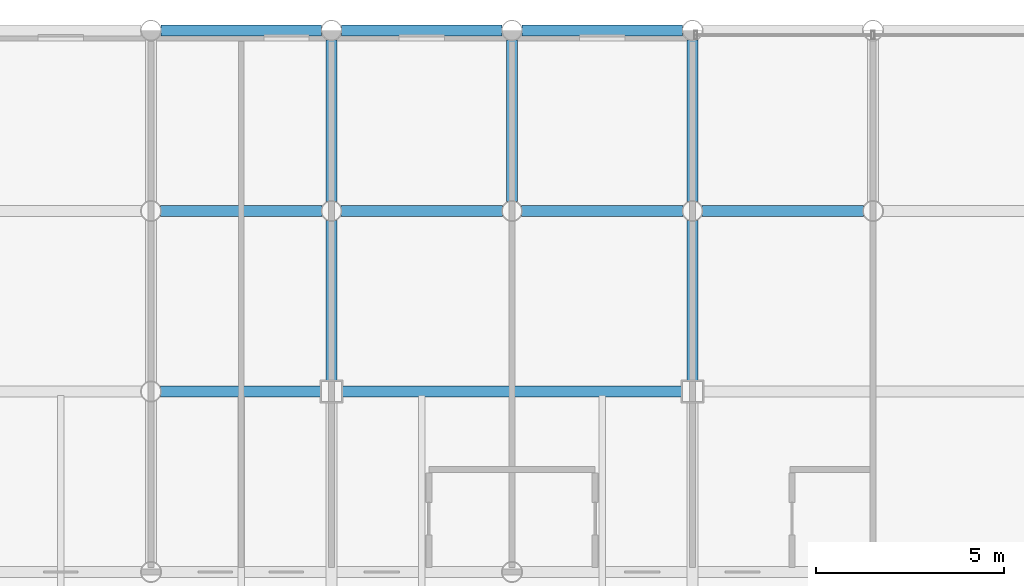
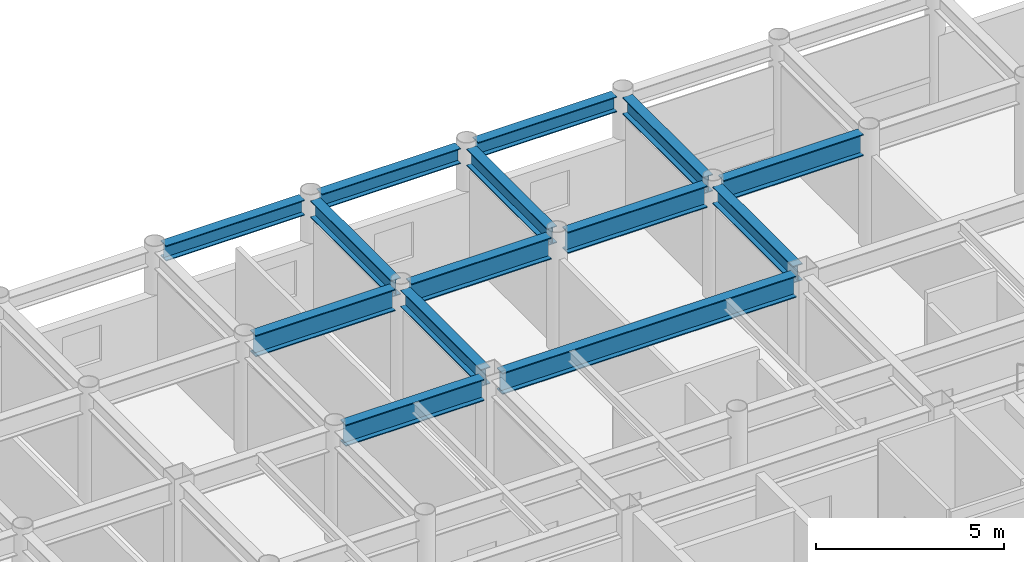
# One storey, part 13 of 22: 14 beams.
"""IFC4 building model written with IfcOpenShell, lengths in metres."""

from ifc_helpers import new_model, si_unit, direction, frame, origin, origin_2d, place, context, subcontext, project, spatial, i_section, extrude, material, material_profile, profile_set, type_object, element, save


model = new_model("IFC4")

# Units and contexts
model_context = context("Model", 3, precision=1e-05, world=origin(), true_north=direction((0.0, 1.0)))
body_context = subcontext(model_context, "Body", "Model", "MODEL_VIEW")
ifc_project = project(units=[si_unit("LENGTHUNIT", "METRE"), si_unit("AREAUNIT", "SQUARE_METRE"), si_unit("VOLUMEUNIT", "CUBIC_METRE"), si_unit("PLANEANGLEUNIT", "RADIAN"), si_unit("MASSUNIT", "GRAM", prefix="KILO")], contexts=[model_context])

# Site, building, storey
site_placement = place(None, origin())
site = spatial("IfcSite", under=ifc_project, at=site_placement, CompositionType="ELEMENT")
building_placement = place(site_placement, origin())
building = spatial("IfcBuilding", under=site, at=building_placement, Name="Kallvorn Hotel Tower", CompositionType="ELEMENT")
storey_placement = place(building_placement, frame((0.0, 0.0, 253.10009765625)))
storey = spatial("IfcBuildingStorey", under=building, at=storey_placement, Name="L63", CompositionType="ELEMENT", Elevation=253.10009765625)

# Beams
ifc_material_1 = material(Name="Structural steel S355JR", Category="steel")
ifc_material_profile_1 = material_profile(ifc_material_1, i_section(OverallWidth=0.300048828125, OverallDepth=0.5, WebThickness=0.014404296875, FlangeThickness=0.028076171875, at=origin_2d()), Name="HE 500 B")
ifc_profile_set_1 = profile_set([ifc_material_profile_1], Name="Structural steel S355JR")
beam_type_1 = type_object("IfcBeamType", Name="BM_HE500B", PredefinedType="SPANDREL", material=ifc_profile_set_1)
beam_1_placement = place(storey_placement, frame((-18.930419921875, 24.0, 3.419921875), z_axis=(1.0, 0.0, 0.0), x_axis=(0.0, 1.0, 0.0)))
element("IfcBeam", 1, at=beam_1_placement, inside=storey, type_object=beam_type_1, Name="L64 Perimeter Spandrel 165", PredefinedType="SPANDREL", context=body_context, shape_type="SweptSolid", body=[
    extrude(i_section(OverallWidth=0.300048828125, OverallDepth=0.5, WebThickness=0.014404296875, FlangeThickness=0.028076171875, at=origin_2d()), origin(), (0.0, 0.0, 1.0), 4.260986328125),
])
beam_2_placement = place(storey_placement, frame((-14.130615234375, 24.0, 3.419921875), z_axis=(1.0, 0.0, 0.0), x_axis=(0.0, 1.0, 0.0)))
element("IfcBeam", 2, at=beam_2_placement, inside=storey, type_object=beam_type_1, Name="L64 Perimeter Spandrel 166", PredefinedType="SPANDREL", context=body_context, shape_type="SweptSolid", body=[
    extrude(i_section(OverallWidth=0.300048828125, OverallDepth=0.5, WebThickness=0.014404296875, FlangeThickness=0.028076171875, at=origin_2d()), origin(), (0.0, 0.0, 1.0), 4.26123046875),
])
beam_3_placement = place(storey_placement, frame((-9.33056640625, 24.0, 3.419921875), z_axis=(1.0, 0.0, 0.0), x_axis=(0.0, 1.0, 0.0)))
element("IfcBeam", 3, at=beam_3_placement, inside=storey, type_object=beam_type_1, Name="L64 Perimeter Spandrel 167", PredefinedType="SPANDREL", context=body_context, shape_type="SweptSolid", body=[
    extrude(i_section(OverallWidth=0.300048828125, OverallDepth=0.5, WebThickness=0.014404296875, FlangeThickness=0.028076171875, at=origin_2d()), origin(), (0.0, 0.0, 1.0), 4.260986328125),
])
ifc_material_2 = material(Name="Structural steel S355JR", Category="steel")
ifc_material_profile_2 = material_profile(ifc_material_2, i_section(OverallWidth=0.300048828125, OverallDepth=0.550048828125, WebThickness=0.014892578125, FlangeThickness=0.029052734375, at=origin_2d()), Name="HE 550 B")
ifc_profile_set_2 = profile_set([ifc_material_profile_2], Name="Structural steel S355JR")
beam_type_2 = type_object("IfcBeamType", Name="BM_HE550B", PredefinedType="SPANDREL", material=ifc_profile_set_2)
beam_4_placement = place(storey_placement, frame((-14.39990234375, 14.675048828125, 3.39501953125), z_axis=(0.0, 1.0, 0.0), x_axis=(-1.0, 0.0, 0.0)))
element("IfcBeam", 4, at=beam_4_placement, inside=storey, type_object=beam_type_2, Name="L64 Primary Y-Girder 101", PredefinedType="SPANDREL", context=body_context, shape_type="SweptSolid", body=[
    extrude(i_section(OverallWidth=0.300048828125, OverallDepth=0.550048828125, WebThickness=0.014892578125, FlangeThickness=0.029052734375, at=origin_2d()), origin(), (0.0, 0.0, 1.0), 4.2705078125),
])
for number, where, z_axis, x_axis, name in (
    (5, (-14.39990234375, 19.45458984375, 3.39501953125), (0.0, 1.0, 0.0), (-1.0, 0.0, 0.0), "L64 Primary Y-Girder 102"),
    (6, (-9.60009765625, 19.45458984375, 3.39501953125), (0.0, 1.0, 0.0), (-1.0, 0.0, 0.0), "L64 Primary Y-Girder 105"),
):
    element("IfcBeam", number, at=place(storey_placement, frame(where, z_axis=z_axis, x_axis=x_axis)), inside=storey, type_object=beam_type_2, Name=name, PredefinedType="SPANDREL", context=body_context, shape_type="SweptSolid", body=[
        extrude(i_section(OverallWidth=0.300048828125, OverallDepth=0.550048828125, WebThickness=0.014892578125, FlangeThickness=0.029052734375, at=origin_2d()), origin(), (0.0, 0.0, 1.0), 4.291015625),
    ])
beam_5_placement = place(storey_placement, frame((-4.800048828125, 14.675048828125, 3.39501953125), z_axis=(0.0, 1.0, 0.0), x_axis=(-1.0, 0.0, 0.0)))
element("IfcBeam", 7, at=beam_5_placement, inside=storey, type_object=beam_type_2, Name="L64 Primary Y-Girder 109", PredefinedType="SPANDREL", context=body_context, shape_type="SweptSolid", body=[
    extrude(i_section(OverallWidth=0.300048828125, OverallDepth=0.550048828125, WebThickness=0.014892578125, FlangeThickness=0.029052734375, at=origin_2d()), origin(), (0.0, 0.0, 1.0), 4.2705078125),
])
beam_6_placement = place(storey_placement, frame((-4.800048828125, 19.45458984375, 3.39501953125), z_axis=(0.0, 1.0, 0.0), x_axis=(-1.0, 0.0, 0.0)))
element("IfcBeam", 8, at=beam_6_placement, inside=storey, type_object=beam_type_2, Name="L64 Primary Y-Girder 110", PredefinedType="SPANDREL", context=body_context, shape_type="SweptSolid", body=[
    extrude(i_section(OverallWidth=0.300048828125, OverallDepth=0.550048828125, WebThickness=0.014892578125, FlangeThickness=0.029052734375, at=origin_2d()), origin(), (0.0, 0.0, 1.0), 4.291015625),
])
ifc_material_3 = material(Name="Structural steel S355JR", Category="steel")
ifc_material_profile_3 = material_profile(ifc_material_3, i_section(OverallWidth=0.300048828125, OverallDepth=0.699951171875, WebThickness=0.01708984375, FlangeThickness=0.031982421875, at=origin_2d()), Name="HE 700 B")
ifc_profile_set_3 = profile_set([ifc_material_profile_3], Name="Structural steel S355JR")
beam_type_3 = type_object("IfcBeamType", Name="BM_HE700B", PredefinedType="BEAM", material=ifc_profile_set_3)
beam_7_placement = place(storey_placement, frame((-18.945556640625, 14.39990234375, 3.31982421875), z_axis=(1.0, 0.0, 0.0), x_axis=(0.0, 1.0, 0.0)))
element("IfcBeam", 9, at=beam_7_placement, inside=storey, type_object=beam_type_3, Name="L64 Primary X-Girder 53", PredefinedType="BEAM", context=body_context, shape_type="SweptSolid", body=[
    extrude(i_section(OverallWidth=0.300048828125, OverallDepth=0.699951171875, WebThickness=0.01708984375, FlangeThickness=0.031982421875, at=origin_2d()), origin(), (0.0, 0.0, 1.0), 4.2705078125),
])
beam_8_placement = place(storey_placement, frame((-14.125, 14.39990234375, 3.31982421875), z_axis=(1.0, 0.0, 0.0), x_axis=(0.0, 1.0, 0.0)))
element("IfcBeam", 10, at=beam_8_placement, inside=storey, type_object=beam_type_3, Name="L64 Primary X-Girder 54", PredefinedType="BEAM", context=body_context, shape_type="SweptSolid", body=[
    extrude(i_section(OverallWidth=0.300048828125, OverallDepth=0.699951171875, WebThickness=0.01708984375, FlangeThickness=0.031982421875, at=origin_2d()), origin(), (0.0, 0.0, 1.0), 9.050048828125),
])
for number, where, z_axis, x_axis, name in (
    (11, (-18.945556640625, 19.199951171875, 3.31982421875), (1.0, 0.0, 0.0), (0.0, 1.0, 0.0), "L64 Primary X-Girder 63"),
    (12, (-14.1455078125, 19.199951171875, 3.31982421875), (1.0, 0.0, 0.0), (0.0, 1.0, 0.0), "L64 Primary X-Girder 64"),
    (13, (-9.345458984375, 19.199951171875, 3.31982421875), (1.0, 0.0, 0.0), (0.0, 1.0, 0.0), "L64 Primary X-Girder 65"),
    (14, (-4.54541015625, 19.199951171875, 3.31982421875), (1.0, 0.0, 0.0), (0.0, 1.0, 0.0), "L64 Primary X-Girder 66"),
):
    element("IfcBeam", number, at=place(storey_placement, frame(where, z_axis=z_axis, x_axis=x_axis)), inside=storey, type_object=beam_type_3, Name=name, PredefinedType="BEAM", context=body_context, shape_type="SweptSolid", body=[
        extrude(i_section(OverallWidth=0.300048828125, OverallDepth=0.699951171875, WebThickness=0.01708984375, FlangeThickness=0.031982421875, at=origin_2d()), origin(), (0.0, 0.0, 1.0), 4.291015625),
    ])

save(model, "model.ifc")
